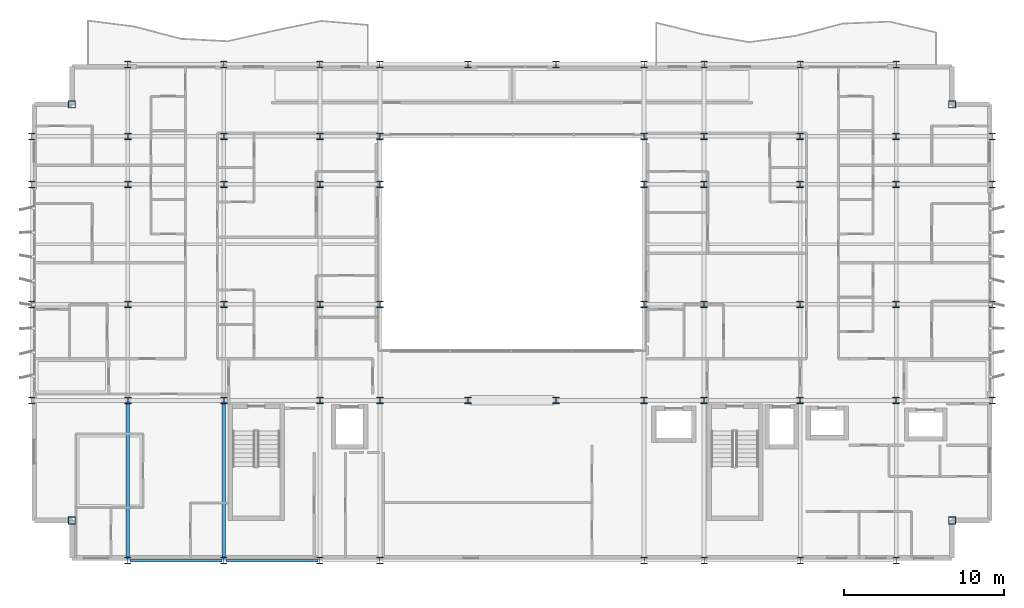
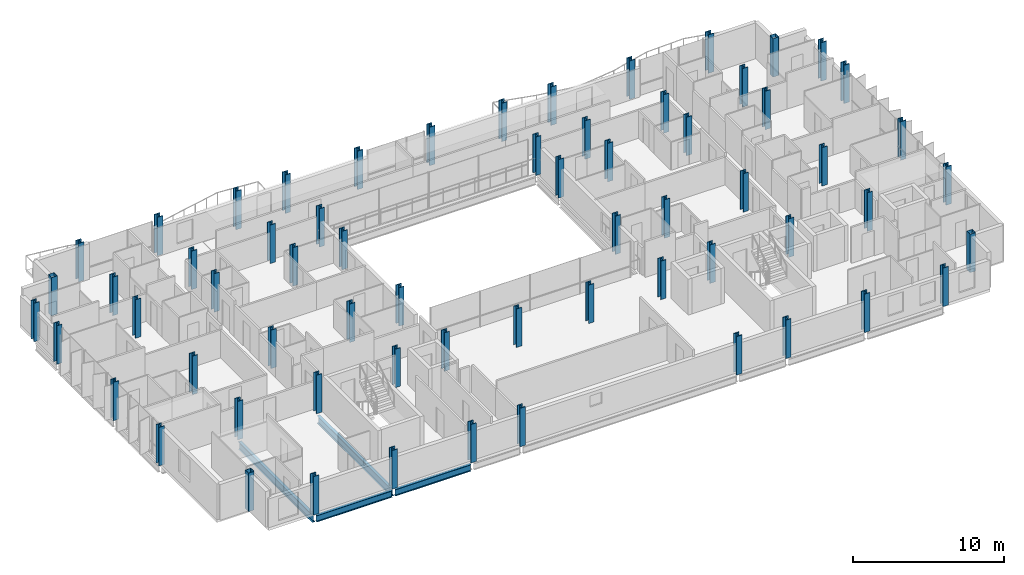
# One storey, part 1 of 39: 64 columns, 4 beams.
"""IFC4 building model written with IfcOpenShell, lengths in metres."""

from ifc_helpers import new_model, si_unit, direction, frame, origin, origin_2d, place, context, subcontext, project, spatial, hollow_rectangle, i_section, extrude, material, material_profile, profile_set, type_object, element, save


model = new_model("IFC4")

# Units and contexts
model_context = context("Model", 3, precision=1e-05, world=origin(), true_north=direction((0.0, 1.0)))
body_context = subcontext(model_context, "Body", "Model", "MODEL_VIEW")
ifc_project = project(units=[si_unit("LENGTHUNIT", "METRE"), si_unit("AREAUNIT", "SQUARE_METRE"), si_unit("VOLUMEUNIT", "CUBIC_METRE"), si_unit("PLANEANGLEUNIT", "RADIAN"), si_unit("MASSUNIT", "GRAM", prefix="KILO")], contexts=[model_context])

# Site, building, storey
site_placement = place(None, origin())
site = spatial("IfcSite", under=ifc_project, at=site_placement, CompositionType="ELEMENT")
building_placement = place(site_placement, origin())
building = spatial("IfcBuilding", under=site, at=building_placement, Name="Brevholm Reach", CompositionType="ELEMENT")
storey_placement = place(building_placement, frame((0.0, 0.0, 103.5)))
storey = spatial("IfcBuildingStorey", under=building, at=storey_placement, Name="L30", CompositionType="ELEMENT", Elevation=103.5)

# Columns
ifc_material_1 = material(Name="Structural Steel S460NH", Category="steel")
ifc_material_profile_1 = material_profile(ifc_material_1, hollow_rectangle(XDim=0.449951171875, YDim=0.449951171875, WallThickness=0.02490234375, InnerFilletRadius=0.011962890625, OuterFilletRadius=0.02392578125, at=origin_2d()), Name="SHS 450x450x25")
ifc_profile_set_1 = profile_set([ifc_material_profile_1], Name="Structural Steel S460NH")
column_type_1 = type_object("IfcColumnType", Name="COL-SHS1", PredefinedType="COLUMN", material=ifc_profile_set_1)
for number, where, z_axis, x_axis, name in (
    (1, (2.5, 2.5, 0.0), (0.0, 0.0, 1.0), (1.0, 0.0, 0.0), "L30 Column 05"),
    (2, (2.5, 28.5, 0.0), (0.0, 0.0, 1.0), (1.0, 0.0, 0.0), "L30 Column 06"),
    (3, (57.5, 2.5, 0.0), (0.0, 0.0, 1.0), (1.0, 0.0, 0.0), "L30 Column 59"),
    (4, (57.5, 28.5, 0.0), (0.0, 0.0, 1.0), (1.0, 0.0, 0.0), "L30 Column 60"),
):
    element("IfcColumn", number, at=place(storey_placement, frame(where, z_axis=z_axis, x_axis=x_axis)), inside=storey, type_object=column_type_1, Name=name, PredefinedType="COLUMN", context=body_context, shape_type="SweptSolid", body=[
        extrude(hollow_rectangle(XDim=0.449951171875, YDim=0.449951171875, WallThickness=0.02490234375, InnerFilletRadius=0.011962890625, OuterFilletRadius=0.02392578125, at=origin_2d()), origin(), (0.0, 0.0, 1.0), 3.10009765625),
    ])
ifc_material_2 = material(Name="Structural Steel S460ML", Category="steel")
ifc_material_profile_2 = material_profile(ifc_material_2, i_section(OverallWidth=0.412109375, OverallDepth=0.4365234375, WebThickness=0.035888671875, FlangeThickness=0.05810546875, FilletRadius=0.01513671875, at=origin_2d()), Name="UKC 356x406x467")
ifc_profile_set_2 = profile_set([ifc_material_profile_2], Name="Structural Steel S460ML")
column_type_2 = type_object("IfcColumnType", Name="COL-UC3", PredefinedType="COLUMN", material=ifc_profile_set_2)
for number, where, z_axis, x_axis, name in (
    (5, (0.0, 10.0, 0.0), (0.0, 0.0, 1.0), (1.0, 0.0, 0.0), "L30 Column 01"),
    (6, (0.0, 16.0, 0.0), (0.0, 0.0, 1.0), (1.0, 0.0, 0.0), "L30 Column 02"),
    (7, (0.0, 23.5, 0.0), (0.0, 0.0, 1.0), (1.0, 0.0, 0.0), "L30 Column 03"),
    (8, (0.0, 26.5, 0.0), (0.0, 0.0, 1.0), (1.0, 0.0, 0.0), "L30 Column 04"),
    (9, (6.0, 0.0, 0.0), (0.0, 0.0, 1.0), (1.0, 0.0, 0.0), "L30 Column 07"),
    (10, (6.0, 31.0, 0.0), (0.0, 0.0, 1.0), (1.0, 0.0, 0.0), "L30 Column 12"),
    (11, (12.0, 0.0, 0.0), (0.0, 0.0, 1.0), (1.0, 0.0, 0.0), "L30 Column 13"),
    (12, (12.0, 31.0, 0.0), (0.0, 0.0, 1.0), (1.0, 0.0, 0.0), "L30 Column 18"),
    (13, (18.0, 0.0, 0.0), (0.0, 0.0, 1.0), (1.0, 0.0, 0.0), "L30 Column 19"),
    (14, (18.0, 31.0, 0.0), (0.0, 0.0, 1.0), (1.0, 0.0, 0.0), "L30 Column 24"),
    (15, (21.75, 0.0, 0.0), (0.0, 0.0, 1.0), (1.0, 0.0, 0.0), "L30 Column 25"),
    (16, (21.75, 31.0, 0.0), (0.0, 0.0, 1.0), (1.0, 0.0, 0.0), "L30 Column 30"),
    (17, (27.25, 31.0, 0.0), (0.0, 0.0, 1.0), (1.0, 0.0, 0.0), "L30 Column 32"),
    (18, (32.75, 31.0, 0.0), (0.0, 0.0, 1.0), (1.0, 0.0, 0.0), "L30 Column 34"),
    (19, (38.25, 0.0, 0.0), (0.0, 0.0, 1.0), (1.0, 0.0, 0.0), "L30 Column 35"),
    (20, (38.25, 31.0, 0.0), (0.0, 0.0, 1.0), (1.0, 0.0, 0.0), "L30 Column 40"),
    (21, (42.0, 0.0, 0.0), (0.0, 0.0, 1.0), (1.0, 0.0, 0.0), "L30 Column 41"),
    (22, (42.0, 31.0, 0.0), (0.0, 0.0, 1.0), (1.0, 0.0, 0.0), "L30 Column 46"),
    (23, (48.0, 0.0, 0.0), (0.0, 0.0, 1.0), (1.0, 0.0, 0.0), "L30 Column 47"),
    (24, (48.0, 31.0, 0.0), (0.0, 0.0, 1.0), (1.0, 0.0, 0.0), "L30 Column 52"),
    (25, (54.0, 0.0, 0.0), (0.0, 0.0, 1.0), (1.0, 0.0, 0.0), "L30 Column 53"),
    (26, (54.0, 31.0, 0.0), (0.0, 0.0, 1.0), (1.0, 0.0, 0.0), "L30 Column 58"),
    (27, (60.0, 10.0, 0.0), (0.0, 0.0, 1.0), (1.0, 0.0, 0.0), "L30 Column 61"),
    (28, (60.0, 16.0, 0.0), (0.0, 0.0, 1.0), (1.0, 0.0, 0.0), "L30 Column 62"),
    (29, (60.0, 23.5, 0.0), (0.0, 0.0, 1.0), (1.0, 0.0, 0.0), "L30 Column 63"),
    (30, (60.0, 26.5, 0.0), (0.0, 0.0, 1.0), (1.0, 0.0, 0.0), "L30 Column 64"),
):
    element("IfcColumn", number, at=place(storey_placement, frame(where, z_axis=z_axis, x_axis=x_axis)), inside=storey, type_object=column_type_2, Name=name, PredefinedType="COLUMN", context=body_context, shape_type="SweptSolid", body=[
        extrude(i_section(OverallWidth=0.412109375, OverallDepth=0.4365234375, WebThickness=0.035888671875, FlangeThickness=0.05810546875, FilletRadius=0.01513671875, at=origin_2d()), origin(), (0.0, 0.0, 1.0), 3.10009765625),
    ])
ifc_material_3 = material(Name="Structural Steel S355J2", Category="steel")
ifc_material_profile_3 = material_profile(ifc_material_3, i_section(OverallWidth=0.406982421875, OverallDepth=0.4189453125, WebThickness=0.030517578125, FlangeThickness=0.04931640625, FilletRadius=0.01513671875, at=origin_2d()), Name="UKC 356x406x393")
ifc_profile_set_3 = profile_set([ifc_material_profile_3], Name="Structural Steel S355J2")
column_type_3 = type_object("IfcColumnType", Name="COL-UC4", PredefinedType="COLUMN", material=ifc_profile_set_3)
for number, where, z_axis, x_axis, name in (
    (31, (6.0, 10.0, 0.0), (0.0, 0.0, 1.0), (1.0, 0.0, 0.0), "L30 Column 08"),
    (32, (6.0, 16.0, 0.0), (0.0, 0.0, 1.0), (1.0, 0.0, 0.0), "L30 Column 09"),
    (33, (6.0, 23.5, 0.0), (0.0, 0.0, 1.0), (1.0, 0.0, 0.0), "L30 Column 10"),
    (34, (6.0, 26.5, 0.0), (0.0, 0.0, 1.0), (1.0, 0.0, 0.0), "L30 Column 11"),
    (35, (12.0, 10.0, 0.0), (0.0, 0.0, 1.0), (1.0, 0.0, 0.0), "L30 Column 14"),
    (36, (12.0, 16.0, 0.0), (0.0, 0.0, 1.0), (1.0, 0.0, 0.0), "L30 Column 15"),
    (37, (12.0, 23.5, 0.0), (0.0, 0.0, 1.0), (1.0, 0.0, 0.0), "L30 Column 16"),
    (38, (12.0, 26.5, 0.0), (0.0, 0.0, 1.0), (1.0, 0.0, 0.0), "L30 Column 17"),
    (39, (18.0, 10.0, 0.0), (0.0, 0.0, 1.0), (1.0, 0.0, 0.0), "L30 Column 20"),
    (40, (18.0, 16.0, 0.0), (0.0, 0.0, 1.0), (1.0, 0.0, 0.0), "L30 Column 21"),
    (41, (18.0, 23.5, 0.0), (0.0, 0.0, 1.0), (1.0, 0.0, 0.0), "L30 Column 22"),
    (42, (18.0, 26.5, 0.0), (0.0, 0.0, 1.0), (1.0, 0.0, 0.0), "L30 Column 23"),
    (43, (21.75, 10.0, 0.0), (0.0, 0.0, 1.0), (1.0, 0.0, 0.0), "L30 Column 26"),
    (44, (21.75, 16.0, 0.0), (0.0, 0.0, 1.0), (1.0, 0.0, 0.0), "L30 Column 27"),
    (45, (21.75, 23.5, 0.0), (0.0, 0.0, 1.0), (1.0, 0.0, 0.0), "L30 Column 28"),
    (46, (21.75, 26.5, 0.0), (0.0, 0.0, 1.0), (1.0, 0.0, 0.0), "L30 Column 29"),
    (47, (27.25, 10.0, 0.0), (0.0, 0.0, 1.0), (1.0, 0.0, 0.0), "L30 Column 31"),
    (48, (32.75, 10.0, 0.0), (0.0, 0.0, 1.0), (1.0, 0.0, 0.0), "L30 Column 33"),
    (49, (38.25, 10.0, 0.0), (0.0, 0.0, 1.0), (1.0, 0.0, 0.0), "L30 Column 36"),
    (50, (38.25, 16.0, 0.0), (0.0, 0.0, 1.0), (1.0, 0.0, 0.0), "L30 Column 37"),
    (51, (38.25, 23.5, 0.0), (0.0, 0.0, 1.0), (1.0, 0.0, 0.0), "L30 Column 38"),
    (52, (38.25, 26.5, 0.0), (0.0, 0.0, 1.0), (1.0, 0.0, 0.0), "L30 Column 39"),
    (53, (42.0, 10.0, 0.0), (0.0, 0.0, 1.0), (1.0, 0.0, 0.0), "L30 Column 42"),
    (54, (42.0, 16.0, 0.0), (0.0, 0.0, 1.0), (1.0, 0.0, 0.0), "L30 Column 43"),
    (55, (42.0, 23.5, 0.0), (0.0, 0.0, 1.0), (1.0, 0.0, 0.0), "L30 Column 44"),
    (56, (42.0, 26.5, 0.0), (0.0, 0.0, 1.0), (1.0, 0.0, 0.0), "L30 Column 45"),
    (57, (48.0, 10.0, 0.0), (0.0, 0.0, 1.0), (1.0, 0.0, 0.0), "L30 Column 48"),
    (58, (48.0, 16.0, 0.0), (0.0, 0.0, 1.0), (1.0, 0.0, 0.0), "L30 Column 49"),
    (59, (48.0, 23.5, 0.0), (0.0, 0.0, 1.0), (1.0, 0.0, 0.0), "L30 Column 50"),
    (60, (48.0, 26.5, 0.0), (0.0, 0.0, 1.0), (1.0, 0.0, 0.0), "L30 Column 51"),
    (61, (54.0, 10.0, 0.0), (0.0, 0.0, 1.0), (1.0, 0.0, 0.0), "L30 Column 54"),
    (62, (54.0, 16.0, 0.0), (0.0, 0.0, 1.0), (1.0, 0.0, 0.0), "L30 Column 55"),
    (63, (54.0, 23.5, 0.0), (0.0, 0.0, 1.0), (1.0, 0.0, 0.0), "L30 Column 56"),
    (64, (54.0, 26.5, 0.0), (0.0, 0.0, 1.0), (1.0, 0.0, 0.0), "L30 Column 57"),
):
    element("IfcColumn", number, at=place(storey_placement, frame(where, z_axis=z_axis, x_axis=x_axis)), inside=storey, type_object=column_type_3, Name=name, PredefinedType="COLUMN", context=body_context, shape_type="SweptSolid", body=[
        extrude(i_section(OverallWidth=0.406982421875, OverallDepth=0.4189453125, WebThickness=0.030517578125, FlangeThickness=0.04931640625, FilletRadius=0.01513671875, at=origin_2d()), origin(), (0.0, 0.0, 1.0), 3.10009765625),
    ])

# Beams
ifc_material_4 = material(Name="Structural Steel S355J2", Category="steel")
ifc_material_profile_4 = material_profile(ifc_material_4, i_section(OverallWidth=0.209228515625, OverallDepth=0.533203125, WebThickness=0.010009765625, FlangeThickness=0.015625, FilletRadius=0.0126953125, at=origin_2d()), Name="UKB 533x210x92")
ifc_profile_set_4 = profile_set([ifc_material_profile_4], Name="Structural Steel S355J2")
beam_type_1 = type_object("IfcBeamType", Name="BM-SP533", PredefinedType="SPANDREL", material=ifc_profile_set_4)
for number, where, z_axis, x_axis, name in (
    (65, (6.1201171875, 0.0, -0.486572265625), (1.0, 0.0, 0.0), (0.0, 1.0, 0.0), "L30 SP-02 Framing Beam"),
    (66, (12.1201171875, 0.0, -0.486572265625), (1.0, 0.0, 0.0), (0.0, 1.0, 0.0), "L30 SP-02 Framing Beam"),
):
    element("IfcBeam", number, at=place(storey_placement, frame(where, z_axis=z_axis, x_axis=x_axis)), inside=storey, type_object=beam_type_1, Name=name, PredefinedType="SPANDREL", context=body_context, shape_type="SweptSolid", body=[
        extrude(i_section(OverallWidth=0.209228515625, OverallDepth=0.533203125, WebThickness=0.010009765625, FlangeThickness=0.015625, FilletRadius=0.0126953125, at=origin_2d()), origin(), (0.0, 0.0, 1.0), 5.759765625),
    ])
ifc_material_5 = material(Name="Structural Steel S355J2", Category="steel")
ifc_material_profile_5 = material_profile(ifc_material_5, i_section(OverallWidth=0.22900390625, OverallDepth=0.6123046875, WebThickness=0.011962890625, FlangeThickness=0.01953125, FilletRadius=0.0126953125, at=origin_2d()), Name="UKB 610x229x125")
ifc_profile_set_5 = profile_set([ifc_material_profile_5], Name="Structural Steel S355J2")
beam_type_2 = type_object("IfcBeamType", Name="BM-SP610", PredefinedType="SPANDREL", material=ifc_profile_set_5)
for number, where, z_axis, x_axis, name in (
    (67, (6.0, 0.1201171875, -0.526123046875), (0.0, 1.0, 0.0), (-1.0, 0.0, 0.0), "L30 SP-01 Framing Beam"),
    (68, (12.0, 0.1201171875, -0.526123046875), (0.0, 1.0, 0.0), (-1.0, 0.0, 0.0), "L30 SP-01 Framing Beam"),
):
    element("IfcBeam", number, at=place(storey_placement, frame(where, z_axis=z_axis, x_axis=x_axis)), inside=storey, type_object=beam_type_2, Name=name, PredefinedType="SPANDREL", context=body_context, shape_type="SweptSolid", body=[
        extrude(i_section(OverallWidth=0.22900390625, OverallDepth=0.6123046875, WebThickness=0.011962890625, FlangeThickness=0.01953125, FilletRadius=0.0126953125, at=origin_2d()), origin(), (0.0, 0.0, 1.0), 9.759765625),
    ])

save(model, "model.ifc")
